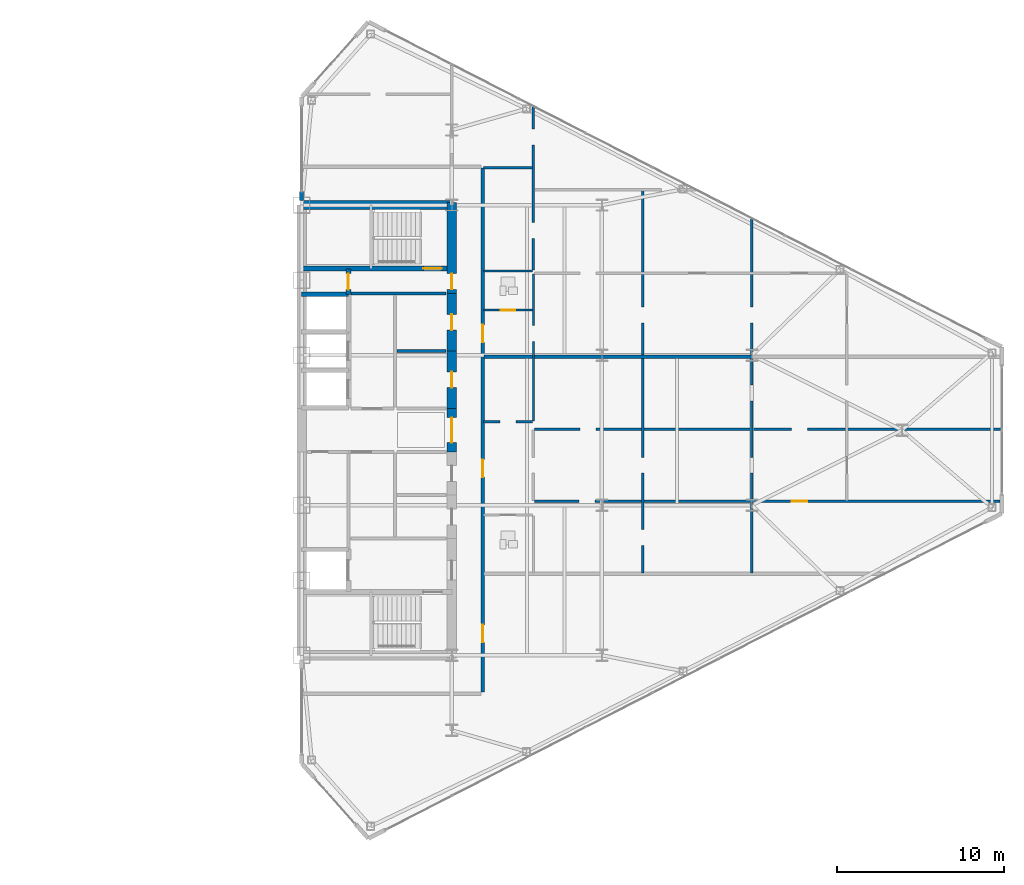
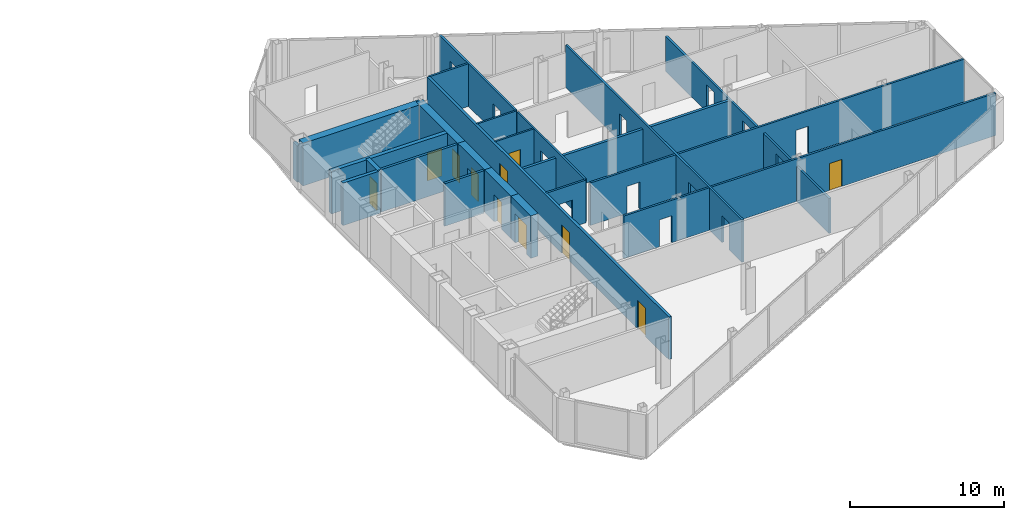
# One storey, part 18 of 22: 23 walls, 11 doors, 24 openings.
"""IFC4 building model written with IfcOpenShell, lengths in metres."""

from ifc_helpers import new_model, si_unit, direction, frame, frame_2d, origin, place, context, subcontext, project, spatial, rectangle, extrude, source, transform, mapped, material, layer, layer_set, type_object, type_shapes, element, fill, save


model = new_model("IFC4")

# Units and contexts
model_context = context("Model", 3, precision=1e-05, world=origin(), true_north=direction((0.0, 1.0)))
body_context = subcontext(model_context, "Body", "Model", "MODEL_VIEW")
ifc_project = project(units=[si_unit("LENGTHUNIT", "METRE"), si_unit("AREAUNIT", "SQUARE_METRE"), si_unit("VOLUMEUNIT", "CUBIC_METRE"), si_unit("PLANEANGLEUNIT", "RADIAN"), si_unit("MASSUNIT", "GRAM", prefix="KILO")], contexts=[model_context])

# Site, building, storey
site_placement = place(None, origin())
site = spatial("IfcSite", under=ifc_project, at=site_placement, CompositionType="ELEMENT")
building_placement = place(site_placement, origin())
building = spatial("IfcBuilding", under=site, at=building_placement, Name="Seokmaru Belvedere", CompositionType="ELEMENT")
storey_placement = place(building_placement, frame((0.0, 0.0, 151.199951171875)))
storey = spatial("IfcBuildingStorey", under=building, at=storey_placement, Name="L40", CompositionType="ELEMENT", Elevation=151.199951171875)

# Wall, openings, door
ifc_material_1 = material(Name="Fire-Rated Gypsum Shaftwall")
ifc_layer_1 = layer(ifc_material_1, 0.14990234375)
ifc_layer_set_1 = layer_set([ifc_layer_1], Name="Fire-Rated Gypsum Shaftwall")
wall_type_1 = type_object("IfcWallType", Name="Apartment Fire-Acoustic Room Partition 150", PredefinedType="PARTITIONING", material=ifc_layer_set_1)
wall_1_placement = place(storey_placement, frame((41.449951171875, -4.27001953125, 0.0), z_axis=(0.0, 0.0, 1.0), x_axis=(1.0, 0.0, 0.0)))
wall_1 = element("IfcWall", 1, at=wall_1_placement, inside=storey, type_object=wall_type_1, Name="L40 Interior Partition 005", PredefinedType="PARTITIONING", context=body_context, shape_type="SweptSolid", body=[
    extrude(rectangle(XDim=27.925048828125, YDim=0.14990234375, at=frame_2d((13.96240234375, 0.0))), origin(), (0.0, 0.0, 1.0), 3.380126953125),
])
opening_1_placement = place(wall_1_placement, frame((2.67578125, 0.0, 0.0)))
element("IfcOpeningElement", 2, at=opening_1_placement, cuts=wall_1, Name="L40 Cased Opening 019", PredefinedType="OPENING", context=body_context, shape_type="SweptSolid", body=[
    extrude(rectangle(XDim=0.949951171875, YDim=2.14990234375, at=frame_2d((0.47509765625, 1.074951171875))), frame((0.0, 0.0849609375, 0.0), z_axis=(0.0, -1.0, 0.0), x_axis=(1.0, 0.0, 0.0)), (0.0, 0.0, 1.0), 0.169921875),
])
opening_2_placement = place(wall_1_placement, frame((15.425048828125, 0.0, 0.0)))
opening_2 = element("IfcOpeningElement", 3, at=opening_2_placement, cuts=wall_1, Name="Opening D05", PredefinedType="OPENING", context=body_context, shape_type="SweptSolid", body=[
    extrude(rectangle(XDim=0.949951171875, YDim=2.14990234375, at=frame_2d((0.47509765625, 1.074951171875))), frame((0.0, 0.0849609375, 0.0), z_axis=(0.0, -1.0, 0.0), x_axis=(1.0, 0.0, 0.0)), (0.0, 0.0, 1.0), 0.169921875),
])
ifc_material_2 = material(Name="Engineered White Oak Timber", Category="wood")
door_type_1 = type_object("IfcDoorType", Name="Apartment Interior Fire-Rated Oak Door 950x2150", OperationType="NOTDEFINED", PredefinedType="DOOR", material=ifc_material_2)
shared_shape_1 = source(origin(), body_context, "Body", "SweptSolid", [
    extrude(rectangle(XDim=0.949951171875, YDim=2.14990234375, at=frame_2d((0.47509765625, 1.074951171875))), frame((0.0, 0.02490234375, 0.0), z_axis=(0.0, -1.0, 0.0), x_axis=(1.0, 0.0, 0.0)), (0.0, 0.0, 1.0), 0.050048828125),
])
type_shapes(door_type_1, [shared_shape_1])
door_1_placement = place(opening_2_placement, origin())
door_1 = element("IfcDoor", 4, at=door_1_placement, inside=storey, type_object=door_type_1, Name="L40 Interior Door 023", OperationType="SINGLE_SWING_RIGHT", OverallHeight=2.14990234375, OverallWidth=0.949951171875, PredefinedType="DOOR", context=body_context, shape_type="MappedRepresentation", body=[
    mapped(shared_shape_1, transform((0.0, 0.0, 0.0), scale=1.0)),
])
fill(opening_2, door_1)

# Wall, openings
wall_2_placement = place(storey_placement, frame((41.449951171875, 0.070068359375, 0.0), z_axis=(0.0, 0.0, 1.0), x_axis=(1.0, 0.0, 0.0)))
wall_2 = element("IfcWall", 5, at=wall_2_placement, inside=storey, type_object=wall_type_1, Name="L40 Interior Partition 008", PredefinedType="PARTITIONING", context=body_context, shape_type="SweptSolid", body=[
    extrude(rectangle(XDim=28.0849609375, YDim=0.14990234375, at=frame_2d((14.04248046875, 0.0))), origin(), (0.0, 0.0, 1.0), 3.380126953125),
])
opening_3_placement = place(wall_2_placement, frame((2.75, 0.0, 0.0)))
element("IfcOpeningElement", 6, at=opening_3_placement, cuts=wall_2, Name="L40 Cased Opening 021", PredefinedType="OPENING", context=body_context, shape_type="SweptSolid", body=[
    extrude(rectangle(XDim=0.949951171875, YDim=2.14990234375, at=frame_2d((0.47509765625, 1.074951171875))), frame((0.0, 0.0849609375, 0.0), z_axis=(0.0, -1.0, 0.0), x_axis=(1.0, 0.0, 0.0)), (0.0, 0.0, 1.0), 0.169921875),
])
opening_4_placement = place(wall_2_placement, frame((15.425048828125, 0.0, 0.0)))
element("IfcOpeningElement", 7, at=opening_4_placement, cuts=wall_2, Name="L40 Cased Opening 025", PredefinedType="OPENING", context=body_context, shape_type="SweptSolid", body=[
    extrude(rectangle(XDim=0.949951171875, YDim=2.14990234375, at=frame_2d((0.47509765625, 1.074951171875))), frame((0.0, 0.0849609375, 0.0), z_axis=(0.0, -1.0, 0.0), x_axis=(1.0, 0.0, 0.0)), (0.0, 0.0, 1.0), 0.169921875),
])

# Wall, opening
wall_3_placement = place(storey_placement, frame((38.39990234375, 0.5, 0.0), z_axis=(0.0, 0.0, 1.0), x_axis=(1.0, 0.0, 0.0)))
wall_3 = element("IfcWall", 8, at=wall_3_placement, inside=storey, type_object=wall_type_1, Name="L40 Interior Partition 010", PredefinedType="PARTITIONING", context=body_context, shape_type="SweptSolid", body=[
    extrude(rectangle(XDim=2.9501953125, YDim=0.14990234375, at=frame_2d((1.47509765625, 0.0))), origin(), (0.0, 0.0, 1.0), 3.380126953125),
])
opening_5_placement = place(wall_3_placement, frame((1.0, 0.0, 0.0)))
element("IfcOpeningElement", 9, at=opening_5_placement, cuts=wall_3, Name="L40 Cased Opening 017", PredefinedType="OPENING", context=body_context, shape_type="SweptSolid", body=[
    extrude(rectangle(XDim=0.949951171875, YDim=2.14990234375, at=frame_2d((0.47509765625, 1.074951171875))), frame((0.0, 0.0849609375, 0.0), z_axis=(0.0, -1.0, 0.0), x_axis=(1.0, 0.0, 0.0)), (0.0, 0.0, 1.0), 0.169921875),
])

# Wall
wall_4_placement = place(storey_placement, frame((38.39990234375, 15.739990234375, 0.0), z_axis=(0.0, 0.0, 1.0), x_axis=(1.0, 0.0, 0.0)))
element("IfcWall", 10, at=wall_4_placement, inside=storey, type_object=wall_type_1, Name="L40 Interior Partition 019", PredefinedType="PARTITIONING", context=body_context, shape_type="SweptSolid", body=[
    extrude(rectangle(XDim=2.9501953125, YDim=0.14990234375, at=frame_2d((1.47509765625, 0.0))), origin(), (0.0, 0.0, 1.0), 3.380126953125),
])

# Wall, openings
wall_5_placement = place(storey_placement, frame((41.39990234375, 9.594970703125, 0.0), z_axis=(0.0, 0.0, 1.0), x_axis=(0.0, 1.0, 0.0)))
wall_5 = element("IfcWall", 11, at=wall_5_placement, inside=storey, type_object=wall_type_1, Name="L40 Interior Partition 034", PredefinedType="PARTITIONING", context=body_context, shape_type="SweptSolid", body=[
    extrude(rectangle(XDim=9.860107421875, YDim=0.14990234375, at=frame_2d((4.93017578125, 0.0))), origin(), (0.0, 0.0, 1.0), 3.380126953125),
])
opening_6_placement = place(wall_5_placement, frame((1.9091796875, 0.0, 0.0)))
element("IfcOpeningElement", 12, at=opening_6_placement, cuts=wall_5, Name="L40 Cased Opening 034", PredefinedType="OPENING", context=body_context, shape_type="SweptSolid", body=[
    extrude(rectangle(XDim=0.949951171875, YDim=2.14990234375, at=frame_2d((0.47509765625, 1.074951171875))), frame((0.0, 0.0849609375, 0.0), z_axis=(0.0, -1.0, 0.0), x_axis=(1.0, 0.0, 0.0)), (0.0, 0.0, 1.0), 0.169921875),
])
opening_7_placement = place(wall_5_placement, frame((7.509765625, 0.0, 0.0)))
element("IfcOpeningElement", 13, at=opening_7_placement, cuts=wall_5, Name="L40 Cased Opening 040", PredefinedType="OPENING", context=body_context, shape_type="SweptSolid", body=[
    extrude(rectangle(XDim=0.949951171875, YDim=2.14990234375, at=frame_2d((0.47509765625, 1.074951171875))), frame((0.0, 0.0849609375, 0.0), z_axis=(0.0, -1.0, 0.0), x_axis=(1.0, 0.0, 0.0)), (0.0, 0.0, 1.0), 0.169921875),
])

wall_6_placement = place(storey_placement, frame((47.949951171875, -8.550048828125, 0.0), z_axis=(0.0, 0.0, 1.0), x_axis=(0.0, 1.0, 0.0)))
wall_6 = element("IfcWall", 14, at=wall_6_placement, inside=storey, type_object=wall_type_1, Name="L40 Interior Partition 035", PredefinedType="PARTITIONING", context=body_context, shape_type="SweptSolid", body=[
    extrude(rectangle(XDim=22.9130859375, YDim=0.14990234375, at=frame_2d((11.45654296875, 0.0))), origin(), (0.0, 0.0, 1.0), 3.380126953125),
])
opening_8_placement = place(wall_6_placement, frame((5.97509765625, 0.0, 0.0)))
element("IfcOpeningElement", 15, at=opening_8_placement, cuts=wall_6, Name="L40 Cased Opening 020", PredefinedType="OPENING", context=body_context, shape_type="SweptSolid", body=[
    extrude(rectangle(XDim=0.949951171875, YDim=2.14990234375, at=frame_2d((0.47509765625, 1.074951171875))), frame((0.0, 0.0849609375, 0.0), z_axis=(0.0, -1.0, 0.0), x_axis=(1.0, 0.0, 0.0)), (0.0, 0.0, 1.0), 0.169921875),
])
opening_9_placement = place(wall_6_placement, frame((1.6416015625, 0.0, 0.0)))
element("IfcOpeningElement", 16, at=opening_9_placement, cuts=wall_6, Name="L40 Cased Opening 027", PredefinedType="OPENING", context=body_context, shape_type="SweptSolid", body=[
    extrude(rectangle(XDim=0.949951171875, YDim=2.14990234375, at=frame_2d((0.47509765625, 1.074951171875))), frame((0.0, 0.0849609375, 0.0), z_axis=(0.0, -1.0, 0.0), x_axis=(1.0, 0.0, 0.0)), (0.0, 0.0, 1.0), 0.169921875),
])
opening_10_placement = place(wall_6_placement, frame((14.978271484375, 0.0, 0.0)))
element("IfcOpeningElement", 17, at=opening_10_placement, cuts=wall_6, Name="L40 Cased Opening 032", PredefinedType="OPENING", context=body_context, shape_type="SweptSolid", body=[
    extrude(rectangle(XDim=0.949951171875, YDim=2.14990234375, at=frame_2d((0.47509765625, 1.074951171875))), frame((0.0, 0.0849609375, 0.0), z_axis=(0.0, -1.0, 0.0), x_axis=(1.0, 0.0, 0.0)), (0.0, 0.0, 1.0), 0.169921875),
])

wall_7_placement = place(storey_placement, frame((54.5, -8.550048828125, 0.0), z_axis=(0.0, 0.0, 1.0), x_axis=(0.0, 1.0, 0.0)))
wall_7 = element("IfcWall", 18, at=wall_7_placement, inside=storey, type_object=wall_type_1, Name="L40 Interior Partition 036", PredefinedType="PARTITIONING", context=body_context, shape_type="SweptSolid", body=[
    extrude(rectangle(XDim=21.281982421875, YDim=0.14990234375, at=frame_2d((10.64111328125, 0.0))), origin(), (0.0, 0.0, 1.0), 2.780029296875),
])
opening_11_placement = place(wall_7_placement, frame((5.97509765625, 0.0, 0.0)))
element("IfcOpeningElement", 19, at=opening_11_placement, cuts=wall_7, Name="L40 Cased Opening 022", PredefinedType="OPENING", context=body_context, shape_type="SweptSolid", body=[
    extrude(rectangle(XDim=0.949951171875, YDim=2.14990234375, at=frame_2d((0.47509765625, 1.074951171875))), frame((0.0, 0.0849609375, 0.0), z_axis=(0.0, -1.0, 0.0), x_axis=(1.0, 0.0, 0.0)), (0.0, 0.0, 1.0), 0.169921875),
])
opening_12_placement = place(wall_7_placement, frame((10.308349609375, 0.0, 0.0)))
element("IfcOpeningElement", 20, at=opening_12_placement, cuts=wall_7, Name="L40 Cased Opening 028", PredefinedType="OPENING", context=body_context, shape_type="SweptSolid", body=[
    extrude(rectangle(XDim=0.949951171875, YDim=2.14990234375, at=frame_2d((0.47509765625, 1.074951171875))), frame((0.0, 0.0849609375, 0.0), z_axis=(0.0, -1.0, 0.0), x_axis=(1.0, 0.0, 0.0)), (0.0, 0.0, 1.0), 0.169921875),
])
opening_13_placement = place(wall_7_placement, frame((14.978271484375, 0.0, 0.0)))
element("IfcOpeningElement", 21, at=opening_13_placement, cuts=wall_7, Name="L40 Cased Opening 035", PredefinedType="OPENING", context=body_context, shape_type="SweptSolid", body=[
    extrude(rectangle(XDim=0.949951171875, YDim=2.14990234375, at=frame_2d((0.47509765625, 1.074951171875))), frame((0.0, 0.0849609375, 0.0), z_axis=(0.0, -1.0, 0.0), x_axis=(1.0, 0.0, 0.0)), (0.0, 0.0, 1.0), 0.169921875),
])

# Walls
ifc_layer_2 = layer(ifc_material_1, 0.179931640625)
ifc_layer_set_2 = layer_set([ifc_layer_2], Name="Fire-Rated Gypsum Shaftwall")
wall_type_2 = type_object("IfcWallType", Name="Core Service Fire Partition 180", PredefinedType="PARTITIONING", material=ifc_layer_set_2)
wall_8_placement = place(storey_placement, frame((30.449951171875, 8.199951171875, 0.0), z_axis=(0.0, 0.0, 1.0), x_axis=(1.0, 0.0, 0.0)))
element("IfcWall", 22, at=wall_8_placement, inside=storey, type_object=wall_type_2, Name="L40 East Smokeproof Vestibule Partition", PredefinedType="PARTITIONING", context=body_context, shape_type="SweptSolid", body=[
    extrude(rectangle(XDim=5.699951171875, YDim=0.179931640625, at=frame_2d((2.85009765625, 0.0))), origin(), (0.0, 0.0, 1.0), 3.380126953125),
])
wall_9_placement = place(storey_placement, frame((33.199951171875, 4.75, 0.0), z_axis=(0.0, 0.0, 1.0), x_axis=(1.0, 0.0, 0.0)))
element("IfcWall", 23, at=wall_9_placement, inside=storey, type_object=wall_type_2, Name="L40 East Core Service Partition 2", PredefinedType="PARTITIONING", context=body_context, shape_type="SweptSolid", body=[
    extrude(rectangle(XDim=2.949951171875, YDim=0.179931640625, at=frame_2d((1.47509765625, 0.0))), origin(), (0.0, 0.0, 1.0), 3.380126953125),
])
ifc_material_3 = material(Name="Concrete C50 (50 MPa)", Category="concrete")
ifc_layer_3 = layer(ifc_material_3, 0.25)
ifc_layer_set_3 = layer_set([ifc_layer_3], Name="Concrete C50 (50 MPa)")
wall_type_3 = type_object("IfcWallType", Name="Hoistway Transverse Concrete Divider Wall 250", PredefinedType="SHEAR", material=ifc_layer_set_3)
wall_10_placement = place(storey_placement, frame((27.5, 8.14990234375, 0.0), z_axis=(0.0, 0.0, 1.0), x_axis=(1.0, 0.0, 0.0)))
element("IfcWall", 24, at=wall_10_placement, inside=storey, type_object=wall_type_3, Name="L40 East Hoistway Divider Core Wall 5", PredefinedType="SHEAR", context=body_context, shape_type="SweptSolid", body=[
    extrude(rectangle(XDim=2.800048828125, YDim=0.25, at=frame_2d((1.39990234375, 0.0))), origin(), (0.0, 0.0, 1.0), 3.380126953125),
])
ifc_layer_4 = layer(ifc_material_1, 0.199951171875)
ifc_layer_set_4 = layer_set([ifc_layer_4], Name="Fire-Rated Gypsum Shaftwall")
wall_type_4 = type_object("IfcWallType", Name="Inter-Tenancy Fire Compartment Partition 200", PredefinedType="PARTITIONING", material=ifc_layer_set_4)
wall_11_placement = place(storey_placement, frame((38.429931640625, 4.39990234375, 0.0), z_axis=(0.0, 0.0, 1.0), x_axis=(1.0, 0.0, 0.0)))
element("IfcWall", 25, at=wall_11_placement, inside=storey, type_object=wall_type_4, Name="L40 Interior Partition 011", PredefinedType="PARTITIONING", context=body_context, shape_type="SweptSolid", body=[
    extrude(rectangle(XDim=16.090087890625, YDim=0.199951171875, at=frame_2d((8.044921875, 0.0))), origin(), (0.0, 0.0, 1.0), 2.780029296875),
])

# Wall, openings, doors
wall_12_placement = place(storey_placement, frame((38.35009765625, -15.715087890625, 0.0), z_axis=(0.0, 0.0, 1.0), x_axis=(0.0, 1.0, 0.0)))
wall_12 = element("IfcWall", 26, at=wall_12_placement, inside=storey, type_object=wall_type_4, Name="L40 Interior Partition 030", PredefinedType="PARTITIONING", context=body_context, shape_type="SweptSolid", body=[
    extrude(rectangle(XDim=31.43017578125, YDim=0.199951171875, at=frame_2d((15.715087890625, 0.0))), origin(), (0.0, 0.0, 1.0), 3.380126953125),
])
opening_14_placement = place(wall_12_placement, frame((2.989990234375, 0.0, 0.0)))
opening_14 = element("IfcOpeningElement", 27, at=opening_14_placement, cuts=wall_12, Name="Opening D03", PredefinedType="OPENING", context=body_context, shape_type="SweptSolid", body=[
    extrude(rectangle(XDim=1.050048828125, YDim=2.25, at=frame_2d((0.52490234375, 1.125))), frame((0.0, 0.10986328125, 0.0), z_axis=(0.0, -1.0, 0.0), x_axis=(1.0, 0.0, 0.0)), (0.0, 0.0, 1.0), 0.219970703125),
])
opening_15_placement = place(wall_12_placement, frame((12.89501953125, 0.0, 0.0)))
opening_15 = element("IfcOpeningElement", 28, at=opening_15_placement, cuts=wall_12, Name="Opening D03", PredefinedType="OPENING", context=body_context, shape_type="SweptSolid", body=[
    extrude(rectangle(XDim=1.050048828125, YDim=2.25, at=frame_2d((0.52490234375, 1.125))), frame((0.0, 0.10986328125, 0.0), z_axis=(0.0, -1.0, 0.0), x_axis=(1.0, 0.0, 0.0)), (0.0, 0.0, 1.0), 0.219970703125),
])
opening_16_placement = place(wall_12_placement, frame((20.987548828125, 0.0, 0.0)))
opening_16 = element("IfcOpeningElement", 29, at=opening_16_placement, cuts=wall_12, Name="Opening D03", PredefinedType="OPENING", context=body_context, shape_type="SweptSolid", body=[
    extrude(rectangle(XDim=1.050048828125, YDim=2.25, at=frame_2d((0.52490234375, 1.125))), frame((0.0, 0.10986328125, 0.0), z_axis=(0.0, -1.0, 0.0), x_axis=(1.0, 0.0, 0.0)), (0.0, 0.0, 1.0), 0.219970703125),
])
ifc_material_4 = material(Name="Fire-Rated Steel Leaf", Category="steel")
door_type_2 = type_object("IfcDoorType", Name="Apartment Entrance Fire Door 1050x2250", OperationType="NOTDEFINED", PredefinedType="DOOR", material=ifc_material_4)
shared_shape_2 = source(origin(), body_context, "Body", "SweptSolid", [
    extrude(rectangle(XDim=1.050048828125, YDim=2.25, at=frame_2d((0.52490234375, 1.125))), frame((0.0, 0.02490234375, 0.0), z_axis=(0.0, -1.0, 0.0), x_axis=(1.0, 0.0, 0.0)), (0.0, 0.0, 1.0), 0.050048828125),
])
type_shapes(door_type_2, [shared_shape_2])
door_2_placement = place(opening_14_placement, origin())
door_2 = element("IfcDoor", 30, at=door_2_placement, inside=storey, type_object=door_type_2, Name="L40 Interior Door 014", OperationType="SINGLE_SWING_LEFT", OverallHeight=2.25, OverallWidth=1.050048828125, PredefinedType="DOOR", context=body_context, shape_type="MappedRepresentation", body=[
    mapped(shared_shape_2, transform((0.0, 0.0, 0.0), scale=1.0)),
])
fill(opening_14, door_2)
door_3_placement = place(opening_15_placement, origin())
door_3 = element("IfcDoor", 31, at=door_3_placement, inside=storey, type_object=door_type_2, Name="L40 Interior Door 015", OperationType="SINGLE_SWING_RIGHT", OverallHeight=2.25, OverallWidth=1.050048828125, PredefinedType="DOOR", context=body_context, shape_type="MappedRepresentation", body=[
    mapped(shared_shape_2, transform((0.0, 0.0, 0.0), scale=1.0)),
])
fill(opening_15, door_3)
door_4_placement = place(opening_16_placement, origin())
door_4 = element("IfcDoor", 32, at=door_4_placement, inside=storey, type_object=door_type_2, Name="L40 Interior Door 029", OperationType="SINGLE_SWING_LEFT", OverallHeight=2.25, OverallWidth=1.050048828125, PredefinedType="DOOR", context=body_context, shape_type="MappedRepresentation", body=[
    mapped(shared_shape_2, transform((0.0, 0.0, 0.0), scale=1.0)),
])
fill(opening_16, door_4)

# Wall, opening, door
ifc_layer_5 = layer(ifc_material_3, 0.300048828125)
ifc_layer_set_5 = layer_set([ifc_layer_5], Name="Concrete C50 (50 MPa)")
wall_type_5 = type_object("IfcWallType", Name="Internal Core Stair and Hoistway Wall 300", PredefinedType="SHEAR", material=ifc_layer_set_5)
wall_13_placement = place(storey_placement, frame((27.5, 9.699951171875, 0.0), z_axis=(0.0, 0.0, 1.0), x_axis=(1.0, 0.0, 0.0)))
wall_13 = element("IfcWall", 33, at=wall_13_placement, inside=storey, type_object=wall_type_5, Name="L40 East Stair ST-2 Enclosure Wall", PredefinedType="SHEAR", context=body_context, shape_type="SweptSolid", body=[
    extrude(rectangle(XDim=9.0, YDim=0.300048828125, at=frame_2d((4.5, 0.0))), origin(), (0.0, 0.0, 1.0), 3.380126953125),
])
opening_17_placement = place(wall_13_placement, frame((7.300048828125, 0.0, 0.0)))
opening_17 = element("IfcOpeningElement", 34, at=opening_17_placement, cuts=wall_13, Name="Opening D01", PredefinedType="OPENING", context=body_context, shape_type="SweptSolid", body=[
    extrude(rectangle(XDim=1.10009765625, YDim=2.199951171875, at=frame_2d((0.550048828125, 1.10009765625))), frame((0.0, 0.16015625, 0.0), z_axis=(0.0, -1.0, 0.0), x_axis=(1.0, 0.0, 0.0)), (0.0, 0.0, 1.0), 0.320068359375),
])
door_type_3 = type_object("IfcDoorType", Name="Special Escape Stair Smokeproof Fire Door 1100x2200", OperationType="NOTDEFINED", PredefinedType="DOOR", material=ifc_material_4)
shared_shape_3 = source(origin(), body_context, "Body", "SweptSolid", [
    extrude(rectangle(XDim=1.10009765625, YDim=2.199951171875, at=frame_2d((0.550048828125, 1.10009765625))), frame((0.0, 0.02490234375, 0.0), z_axis=(0.0, -1.0, 0.0), x_axis=(1.0, 0.0, 0.0)), (0.0, 0.0, 1.0), 0.050048828125),
])
type_shapes(door_type_3, [shared_shape_3])
door_5_placement = place(opening_17_placement, origin())
door_5 = element("IfcDoor", 35, at=door_5_placement, inside=storey, type_object=door_type_3, Name="L40 East Special Escape Stair ST-2 Door", OperationType="SINGLE_SWING_LEFT", OverallHeight=2.199951171875, OverallWidth=1.10009765625, PredefinedType="DOOR", context=body_context, shape_type="MappedRepresentation", body=[
    mapped(shared_shape_3, transform((0.0, 0.0, 0.0), scale=1.0)),
])
fill(opening_17, door_5)

wall_14_placement = place(storey_placement, frame((30.300048828125, 8.14990234375, 0.0), z_axis=(0.0, 0.0, 1.0), x_axis=(0.0, 1.0, 0.0)))
wall_14 = element("IfcWall", 36, at=wall_14_placement, inside=storey, type_object=wall_type_5, Name="L40 East Electrical Riser Front Wall", PredefinedType="SHEAR", context=body_context, shape_type="SweptSolid", body=[
    extrude(rectangle(XDim=1.530029296875, YDim=0.300048828125, at=frame_2d((0.76513671875, 0.0))), origin(), (0.0, 0.0, 1.0), 3.380126953125),
])
opening_18_placement = place(wall_14_placement, frame((0.284912109375, 0.0, 0.0)))
opening_18 = element("IfcOpeningElement", 37, at=opening_18_placement, cuts=wall_14, Name="Opening D04", PredefinedType="OPENING", context=body_context, shape_type="SweptSolid", body=[
    extrude(rectangle(XDim=0.949951171875, YDim=2.14990234375, at=frame_2d((0.47509765625, 1.074951171875))), frame((0.0, 0.16015625, 0.0), z_axis=(0.0, -1.0, 0.0), x_axis=(1.0, 0.0, 0.0)), (0.0, 0.0, 1.0), 0.320068359375),
])
door_type_4 = type_object("IfcDoorType", Name="Core Service Room Fire Door 950x2150", OperationType="NOTDEFINED", PredefinedType="DOOR", material=ifc_material_4)
shared_shape_4 = source(origin(), body_context, "Body", "SweptSolid", [
    extrude(rectangle(XDim=0.949951171875, YDim=2.14990234375, at=frame_2d((0.47509765625, 1.074951171875))), frame((0.0, 0.02490234375, 0.0), z_axis=(0.0, -1.0, 0.0), x_axis=(1.0, 0.0, 0.0)), (0.0, 0.0, 1.0), 0.050048828125),
])
type_shapes(door_type_4, [shared_shape_4])
door_6_placement = place(opening_18_placement, origin())
door_6 = element("IfcDoor", 38, at=door_6_placement, inside=storey, type_object=door_type_4, Name="L40 East Electrical Riser Access Door", OperationType="SINGLE_SWING_RIGHT", OverallHeight=2.14990234375, OverallWidth=0.949951171875, PredefinedType="DOOR", context=body_context, shape_type="MappedRepresentation", body=[
    mapped(shared_shape_4, transform((0.0, 0.0, 0.0), scale=1.0)),
])
fill(opening_18, door_6)

# Wall
ifc_layer_6 = layer(ifc_material_3, 0.550048828125)
ifc_layer_set_6 = layer_set([ifc_layer_6], Name="Concrete C50 (50 MPa)")
wall_type_6 = type_object("IfcWallType", Name="Mid-High Reinforced Concrete Core Wall 550", PredefinedType="SHEAR", material=ifc_layer_set_6)
wall_15_placement = place(storey_placement, frame((27.5, 13.5, 0.0), z_axis=(0.0, 0.0, 1.0), x_axis=(1.0, 0.0, 0.0)))
element("IfcWall", 39, at=wall_15_placement, inside=storey, type_object=wall_type_6, Name="L40 East North Core Wall", PredefinedType="SHEAR", context=body_context, shape_type="SweptSolid", body=[
    extrude(rectangle(XDim=9.0, YDim=0.550048828125, at=frame_2d((4.5, 0.0))), origin(), (0.0, 0.0, 1.0), 3.380126953125),
])

# Wall, opening, door
wall_16_placement = place(storey_placement, frame((36.5, -1.300048828125, 0.0), z_axis=(0.0, 0.0, 1.0), x_axis=(0.0, 1.0, 0.0)))
wall_16 = element("IfcWall", 40, at=wall_16_placement, inside=storey, type_object=wall_type_6, Name="L40 East West Core Wall FOY", PredefinedType="SHEAR", context=body_context, shape_type="SweptSolid", body=[
    extrude(rectangle(XDim=2.60009765625, YDim=0.550048828125, at=frame_2d((1.300048828125, 0.0))), origin(), (0.0, 0.0, 1.0), 3.380126953125),
])
opening_19_placement = place(wall_16_placement, frame((0.550048828125, 0.0, 0.0)))
opening_19 = element("IfcOpeningElement", 41, at=opening_19_placement, cuts=wall_16, Name="Opening D08", PredefinedType="OPENING", context=body_context, shape_type="SweptSolid", body=[
    extrude(rectangle(XDim=1.5, YDim=2.300048828125, at=frame_2d((0.75, 1.14990234375))), frame((0.0, 0.28515625, 0.0), z_axis=(0.0, -1.0, 0.0), x_axis=(1.0, 0.0, 0.0)), (0.0, 0.0, 1.0), 0.570068359375),
])
door_type_5 = type_object("IfcDoorType", Name="Cross-Corridor Compartment Double Fire Door 1500x2300", OperationType="DOUBLE_SWING_LEFT", PredefinedType="DOOR", material=ifc_material_4)
shared_shape_5 = source(origin(), body_context, "Body", "SweptSolid", [
    extrude(rectangle(XDim=1.5, YDim=2.300048828125, at=frame_2d((0.75, 1.14990234375))), frame((0.0, 0.02490234375, 0.0), z_axis=(0.0, -1.0, 0.0), x_axis=(1.0, 0.0, 0.0)), (0.0, 0.0, 1.0), 0.050048828125),
])
type_shapes(door_type_5, [shared_shape_5])
door_7_placement = place(opening_19_placement, origin())
door_7 = element("IfcDoor", 42, at=door_7_placement, inside=storey, type_object=door_type_5, Name="L40 East Core Foyer Compartment Door", OperationType="DOUBLE_SWING_LEFT", OverallHeight=2.300048828125, OverallWidth=1.5, PredefinedType="DOOR", context=body_context, shape_type="MappedRepresentation", body=[
    mapped(shared_shape_5, transform((0.0, 0.0, 0.0), scale=1.0)),
])
fill(opening_19, door_7)

wall_17_placement = place(storey_placement, frame((36.5, 8.199951171875, 0.0), z_axis=(0.0, 0.0, 1.0), x_axis=(0.0, 1.0, 0.0)))
wall_17 = element("IfcWall", 43, at=wall_17_placement, inside=storey, type_object=wall_type_6, Name="L40 East West Core Wall VST", PredefinedType="SHEAR", context=body_context, shape_type="SweptSolid", body=[
    extrude(rectangle(XDim=5.449951171875, YDim=0.550048828125, at=frame_2d((2.72509765625, 0.0))), origin(), (0.0, 0.0, 1.0), 3.380126953125),
])
opening_20_placement = place(wall_17_placement, frame((0.2451171875, 0.0, 0.0)))
opening_20 = element("IfcOpeningElement", 44, at=opening_20_placement, cuts=wall_17, Name="Opening D04", PredefinedType="OPENING", context=body_context, shape_type="SweptSolid", body=[
    extrude(rectangle(XDim=0.949951171875, YDim=2.14990234375, at=frame_2d((0.47509765625, 1.074951171875))), frame((0.0, 0.28515625, 0.0), z_axis=(0.0, -1.0, 0.0), x_axis=(1.0, 0.0, 0.0)), (0.0, 0.0, 1.0), 0.570068359375),
])
door_8_placement = place(opening_20_placement, origin())
door_8 = element("IfcDoor", 45, at=door_8_placement, inside=storey, type_object=door_type_4, Name="L40 East Smokeproof Vestibule Door", OperationType="SINGLE_SWING_LEFT", OverallHeight=2.14990234375, OverallWidth=0.949951171875, PredefinedType="DOOR", context=body_context, shape_type="MappedRepresentation", body=[
    mapped(shared_shape_4, transform((0.0, 0.0, 0.0), scale=1.0)),
])
fill(opening_20, door_8)

wall_18_placement = place(storey_placement, frame((36.5, 1.300048828125, 0.0), z_axis=(0.0, 0.0, 1.0), x_axis=(0.0, 1.0, 0.0)))
wall_18 = element("IfcWall", 46, at=wall_18_placement, inside=storey, type_object=wall_type_6, Name="L40 East West Core Wall CS3", PredefinedType="SHEAR", context=body_context, shape_type="SweptSolid", body=[
    extrude(rectangle(XDim=3.449951171875, YDim=0.550048828125, at=frame_2d((1.72509765625, 0.0))), origin(), (0.0, 0.0, 1.0), 3.380126953125),
])
opening_21_placement = place(wall_18_placement, frame((1.25, 0.0, 0.0)))
opening_21 = element("IfcOpeningElement", 47, at=opening_21_placement, cuts=wall_18, Name="Opening D04", PredefinedType="OPENING", context=body_context, shape_type="SweptSolid", body=[
    extrude(rectangle(XDim=0.949951171875, YDim=2.14990234375, at=frame_2d((0.47509765625, 1.074951171875))), frame((0.0, 0.28515625, 0.0), z_axis=(0.0, -1.0, 0.0), x_axis=(1.0, 0.0, 0.0)), (0.0, 0.0, 1.0), 0.570068359375),
])
door_9_placement = place(opening_21_placement, origin())
door_9 = element("IfcDoor", 48, at=door_9_placement, inside=storey, type_object=door_type_4, Name="L40 East Core Service Room Door 3", OperationType="SINGLE_SWING_RIGHT", OverallHeight=2.14990234375, OverallWidth=0.949951171875, PredefinedType="DOOR", context=body_context, shape_type="MappedRepresentation", body=[
    mapped(shared_shape_4, transform((0.0, 0.0, 0.0), scale=1.0)),
])
fill(opening_21, door_9)

wall_19_placement = place(storey_placement, frame((36.5, 4.75, 0.0), z_axis=(0.0, 0.0, 1.0), x_axis=(0.0, 1.0, 0.0)))
wall_19 = element("IfcWall", 49, at=wall_19_placement, inside=storey, type_object=wall_type_6, Name="L40 East West Core Wall CS4", PredefinedType="SHEAR", context=body_context, shape_type="SweptSolid", body=[
    extrude(rectangle(XDim=3.449951171875, YDim=0.550048828125, at=frame_2d((1.72509765625, 0.0))), origin(), (0.0, 0.0, 1.0), 3.380126953125),
])
opening_22_placement = place(wall_19_placement, frame((1.25, 0.0, 0.0)))
opening_22 = element("IfcOpeningElement", 50, at=opening_22_placement, cuts=wall_19, Name="Opening D04", PredefinedType="OPENING", context=body_context, shape_type="SweptSolid", body=[
    extrude(rectangle(XDim=0.949951171875, YDim=2.14990234375, at=frame_2d((0.47509765625, 1.074951171875))), frame((0.0, 0.28515625, 0.0), z_axis=(0.0, -1.0, 0.0), x_axis=(1.0, 0.0, 0.0)), (0.0, 0.0, 1.0), 0.570068359375),
])
door_10_placement = place(opening_22_placement, origin())
door_10 = element("IfcDoor", 51, at=door_10_placement, inside=storey, type_object=door_type_4, Name="L40 East Core Service Room Door 4", OperationType="SINGLE_SWING_LEFT", OverallHeight=2.14990234375, OverallWidth=0.949951171875, PredefinedType="DOOR", context=body_context, shape_type="MappedRepresentation", body=[
    mapped(shared_shape_4, transform((0.0, 0.0, 0.0), scale=1.0)),
])
fill(opening_22, door_10)

ifc_layer_7 = layer(ifc_material_1, 0.1298828125)
ifc_layer_set_7 = layer_set([ifc_layer_7], Name="Fire-Rated Gypsum Shaftwall")
wall_type_7 = type_object("IfcWallType", Name="Moisture-Resistant Fire-Rated Bathroom Partition 130", PredefinedType="PARTITIONING", material=ifc_layer_set_7)
wall_20_placement = place(storey_placement, frame((38.39990234375, 7.199951171875, 0.0), z_axis=(0.0, 0.0, 1.0), x_axis=(1.0, 0.0, 0.0)))
wall_20 = element("IfcWall", 52, at=wall_20_placement, inside=storey, type_object=wall_type_7, Name="L40 Interior Partition 014", PredefinedType="PARTITIONING", context=body_context, shape_type="SweptSolid", body=[
    extrude(rectangle(XDim=2.9501953125, YDim=0.1298828125, at=frame_2d((1.47509765625, 0.0))), origin(), (0.0, 0.0, 1.0), 3.380126953125),
])
opening_23_placement = place(wall_20_placement, frame((1.034912109375, 0.0, 0.0)))
opening_23 = element("IfcOpeningElement", 53, at=opening_23_placement, cuts=wall_20, Name="Opening D06", PredefinedType="OPENING", context=body_context, shape_type="SweptSolid", body=[
    extrude(rectangle(XDim=0.8798828125, YDim=2.10009765625, at=frame_2d((0.43994140625, 1.050048828125))), frame((0.0, 0.074951171875, 0.0), z_axis=(0.0, -1.0, 0.0), x_axis=(1.0, 0.0, 0.0)), (0.0, 0.0, 1.0), 0.14990234375),
])
door_type_6 = type_object("IfcDoorType", Name="Bathroom and Restroom Fire-Rated Door 880x2100", OperationType="NOTDEFINED", PredefinedType="DOOR", material=ifc_material_2)
shared_shape_6 = source(origin(), body_context, "Body", "SweptSolid", [
    extrude(rectangle(XDim=0.8798828125, YDim=2.10009765625, at=frame_2d((0.43994140625, 1.050048828125))), frame((0.0, 0.02490234375, 0.0), z_axis=(0.0, -1.0, 0.0), x_axis=(1.0, 0.0, 0.0)), (0.0, 0.0, 1.0), 0.050048828125),
])
type_shapes(door_type_6, [shared_shape_6])
door_11_placement = place(opening_23_placement, origin())
door_11 = element("IfcDoor", 54, at=door_11_placement, inside=storey, type_object=door_type_6, Name="L40 Interior Door 030", OperationType="SINGLE_SWING_RIGHT", OverallHeight=2.10009765625, OverallWidth=0.8798828125, PredefinedType="DOOR", context=body_context, shape_type="MappedRepresentation", body=[
    mapped(shared_shape_6, transform((0.0, 0.0, 0.0), scale=1.0)),
])
fill(opening_23, door_11)

# Wall
wall_21_placement = place(storey_placement, frame((38.39990234375, 9.5400390625, 0.0), z_axis=(0.0, 0.0, 1.0), x_axis=(1.0, 0.0, 0.0)))
element("IfcWall", 55, at=wall_21_placement, inside=storey, type_object=wall_type_7, Name="L40 Interior Partition 017", PredefinedType="PARTITIONING", context=body_context, shape_type="SweptSolid", body=[
    extrude(rectangle(XDim=2.9501953125, YDim=0.1298828125, at=frame_2d((1.47509765625, 0.0))), origin(), (0.0, 0.0, 1.0), 3.380126953125),
])

# Wall, opening
wall_22_placement = place(storey_placement, frame((41.39990234375, 0.552001953125, 0.0), z_axis=(0.0, 0.0, 1.0), x_axis=(0.0, 1.0, 0.0)))
wall_22 = element("IfcWall", 56, at=wall_22_placement, inside=storey, type_object=wall_type_7, Name="L40 Interior Partition 033", PredefinedType="PARTITIONING", context=body_context, shape_type="SweptSolid", body=[
    extrude(rectangle(XDim=8.804931640625, YDim=0.1298828125, at=frame_2d((4.40234375, 0.0))), origin(), (0.0, 0.0, 1.0), 3.380126953125),
])
opening_24_placement = place(wall_22_placement, frame((4.7705078125, 0.0, 0.0)))
element("IfcOpeningElement", 57, at=opening_24_placement, cuts=wall_22, Name="L40 Cased Opening 031", PredefinedType="OPENING", context=body_context, shape_type="SweptSolid", body=[
    extrude(rectangle(XDim=0.949951171875, YDim=2.14990234375, at=frame_2d((0.47509765625, 1.074951171875))), frame((0.0, 0.074951171875, 0.0), z_axis=(0.0, -1.0, 0.0), x_axis=(1.0, 0.0, 0.0)), (0.0, 0.0, 1.0), 0.14990234375),
])

# Wall
ifc_material_5 = material(Name="Anodised Bronze Aluminium", Category="aluminium")
ifc_layer_8 = layer(ifc_material_5, 0.239990234375)
ifc_layer_set_8 = layer_set([ifc_layer_8], Name="Anodised Bronze Aluminium")
wall_type_8 = type_object("IfcWallType", Name="Tower Corner Spandrel Closure Wall 240", PredefinedType="SOLIDWALL", material=ifc_layer_set_8)
wall_23_placement = place(storey_placement, frame((27.5, 13.780029296875, 0.0), z_axis=(0.0, 0.0, 1.0), x_axis=(0.0, 1.0, 0.0)))
element("IfcWall", 58, at=wall_23_placement, inside=storey, type_object=wall_type_8, Name="L40 E Spine Closure Pier 2A", PredefinedType="SOLIDWALL", context=body_context, shape_type="SweptSolid", body=[
    extrude(rectangle(XDim=0.550048828125, YDim=0.239990234375, at=frame_2d((0.27490234375, 0.0))), origin(), (0.0, 0.0, 1.0), 2.880126953125),
])

save(model, "model.ifc")
